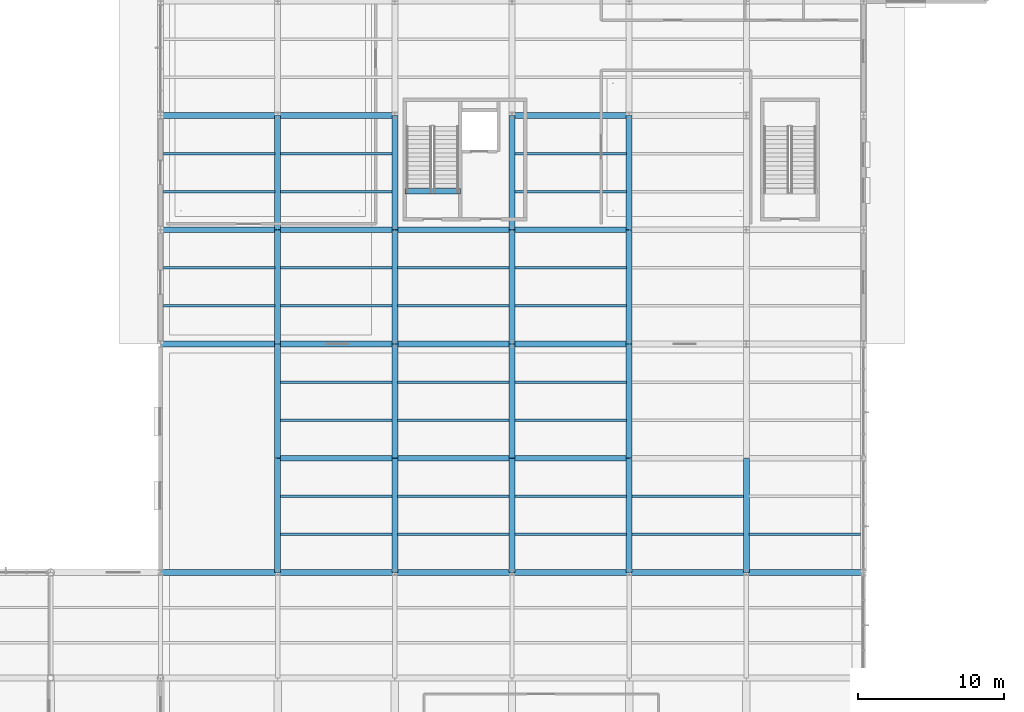
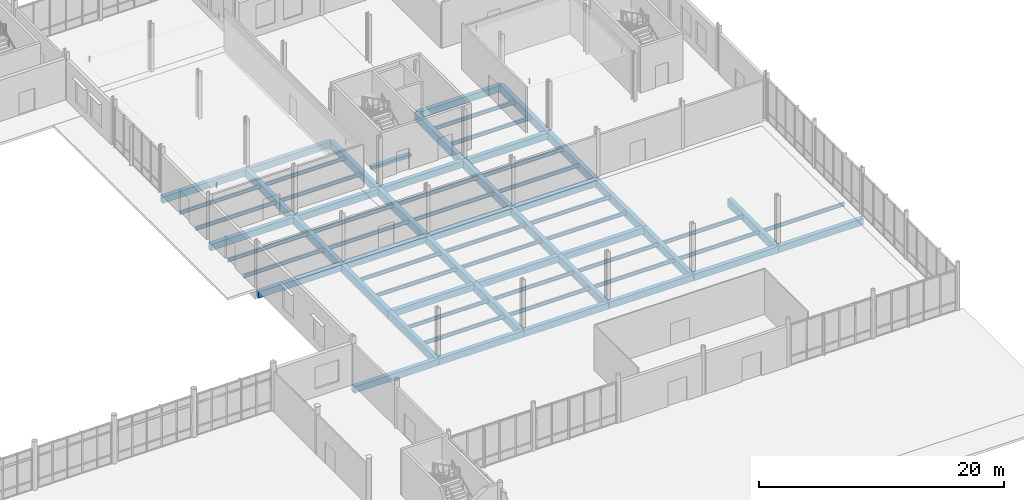
# One storey, part 26 of 82: 67 beams.
"""IFC4 building model written with IfcOpenShell, lengths in metres."""

from ifc_helpers import new_model, si_unit, direction, frame, origin, origin_2d, place, context, subcontext, project, spatial, rectangle, i_section, extrude, material, material_profile, profile_set, type_object, element, save


model = new_model("IFC4")

# Units and contexts
model_context = context("Model", 3, precision=1e-05, world=origin(), true_north=direction((0.0, 1.0)))
body_context = subcontext(model_context, "Body", "Model", "MODEL_VIEW")
ifc_project = project(units=[si_unit("LENGTHUNIT", "METRE"), si_unit("AREAUNIT", "SQUARE_METRE"), si_unit("VOLUMEUNIT", "CUBIC_METRE"), si_unit("PLANEANGLEUNIT", "RADIAN"), si_unit("MASSUNIT", "GRAM", prefix="KILO")], contexts=[model_context])

# Site, building, storey
site_placement = place(None, origin())
site = spatial("IfcSite", under=ifc_project, at=site_placement, CompositionType="ELEMENT")
building_placement = place(site_placement, origin())
building = spatial("IfcBuilding", under=site, at=building_placement, Name="Yukiwa Park Conservatory and Herbarium", CompositionType="ELEMENT")
storey_placement = place(building_placement, origin())
storey = spatial("IfcBuildingStorey", under=building, at=storey_placement, Name="L00", CompositionType="ELEMENT", Elevation=0.0)

# Beams
ifc_material_1 = material(Name="Steel Q355D", Category="steel")
ifc_material_profile_1 = material_profile(ifc_material_1, i_section(OverallWidth=0.174072265625, OverallDepth=0.345947265625, WebThickness=0.006103515625, FlangeThickness=0.009033203125, FilletRadius=0.013916015625, at=origin_2d()), Name="HN 346x174x6x9")
ifc_profile_set_1 = profile_set([ifc_material_profile_1], Name="Steel Q355D")
beam_type_1 = type_object("IfcBeamType", Name="BM-JST-HN346", PredefinedType="JOIST", material=ifc_profile_set_1)
for number, where, z_axis, x_axis, name in (
    (1, (60.196044921875, 49.39990234375, -0.43310546875), (1.0, 0.0, 0.0), (0.0, 1.0, 0.0), "L00 composite floor joist 93"),
    (2, (60.196044921875, 52.0, -0.43310546875), (1.0, 0.0, 0.0), (0.0, 1.0, 0.0), "L00 composite floor joist 94"),
    (3, (60.196044921875, 57.199951171875, -0.43310546875), (1.0, 0.0, 0.0), (0.0, 1.0, 0.0), "L00 composite floor joist 95"),
    (4, (60.196044921875, 59.800048828125, -0.43310546875), (1.0, 0.0, 0.0), (0.0, 1.0, 0.0), "L00 composite floor joist 96"),
    (5, (68.196044921875, 33.800048828125, -0.43310546875), (1.0, 0.0, 0.0), (0.0, 1.0, 0.0), "L00 composite floor joist 107"),
    (6, (68.196044921875, 36.39990234375, -0.43310546875), (1.0, 0.0, 0.0), (0.0, 1.0, 0.0), "L00 composite floor joist 108"),
    (7, (68.196044921875, 41.60009765625, -0.43310546875), (1.0, 0.0, 0.0), (0.0, 1.0, 0.0), "L00 composite floor joist 109"),
    (8, (68.196044921875, 44.199951171875, -0.43310546875), (1.0, 0.0, 0.0), (0.0, 1.0, 0.0), "L00 composite floor joist 110"),
    (9, (68.196044921875, 49.39990234375, -0.43310546875), (1.0, 0.0, 0.0), (0.0, 1.0, 0.0), "L00 composite floor joist 111"),
    (10, (68.196044921875, 52.0, -0.43310546875), (1.0, 0.0, 0.0), (0.0, 1.0, 0.0), "L00 composite floor joist 112"),
    (11, (68.196044921875, 57.199951171875, -0.43310546875), (1.0, 0.0, 0.0), (0.0, 1.0, 0.0), "L00 composite floor joist 113"),
    (12, (68.196044921875, 59.800048828125, -0.43310546875), (1.0, 0.0, 0.0), (0.0, 1.0, 0.0), "L00 composite floor joist 114"),
    (13, (76.196044921875, 33.800048828125, -0.43310546875), (1.0, 0.0, 0.0), (0.0, 1.0, 0.0), "L00 composite floor joist 125"),
    (14, (76.196044921875, 36.39990234375, -0.43310546875), (1.0, 0.0, 0.0), (0.0, 1.0, 0.0), "L00 composite floor joist 126"),
    (15, (76.196044921875, 41.60009765625, -0.43310546875), (1.0, 0.0, 0.0), (0.0, 1.0, 0.0), "L00 composite floor joist 127"),
    (16, (76.196044921875, 44.199951171875, -0.43310546875), (1.0, 0.0, 0.0), (0.0, 1.0, 0.0), "L00 composite floor joist 128"),
    (17, (76.196044921875, 49.39990234375, -0.43310546875), (1.0, 0.0, 0.0), (0.0, 1.0, 0.0), "L00 composite floor joist 129"),
    (18, (76.196044921875, 52.0, -0.43310546875), (1.0, 0.0, 0.0), (0.0, 1.0, 0.0), "L00 composite floor joist 130"),
    (19, (84.196044921875, 33.800048828125, -0.43310546875), (1.0, 0.0, 0.0), (0.0, 1.0, 0.0), "L00 composite floor joist 139"),
    (20, (84.196044921875, 36.39990234375, -0.43310546875), (1.0, 0.0, 0.0), (0.0, 1.0, 0.0), "L00 composite floor joist 140"),
    (21, (84.196044921875, 41.60009765625, -0.43310546875), (1.0, 0.0, 0.0), (0.0, 1.0, 0.0), "L00 composite floor joist 141"),
    (22, (84.196044921875, 44.199951171875, -0.43310546875), (1.0, 0.0, 0.0), (0.0, 1.0, 0.0), "L00 composite floor joist 142"),
    (23, (84.196044921875, 49.39990234375, -0.43310546875), (1.0, 0.0, 0.0), (0.0, 1.0, 0.0), "L00 composite floor joist 143"),
    (24, (84.196044921875, 52.0, -0.43310546875), (1.0, 0.0, 0.0), (0.0, 1.0, 0.0), "L00 composite floor joist 144"),
    (25, (84.196044921875, 57.199951171875, -0.43310546875), (1.0, 0.0, 0.0), (0.0, 1.0, 0.0), "L00 composite floor joist 145"),
    (26, (84.196044921875, 59.800048828125, -0.43310546875), (1.0, 0.0, 0.0), (0.0, 1.0, 0.0), "L00 composite floor joist 146"),
    (27, (92.196044921875, 33.800048828125, -0.43310546875), (1.0, 0.0, 0.0), (0.0, 1.0, 0.0), "L00 composite floor joist 155"),
    (28, (92.196044921875, 36.39990234375, -0.43310546875), (1.0, 0.0, 0.0), (0.0, 1.0, 0.0), "L00 composite floor joist 156"),
    (29, (100.196044921875, 33.800048828125, -0.43310546875), (1.0, 0.0, 0.0), (0.0, 1.0, 0.0), "L00 composite floor joist 171"),
):
    element("IfcBeam", number, at=place(storey_placement, frame(where, z_axis=z_axis, x_axis=x_axis)), inside=storey, type_object=beam_type_1, Name=name, PredefinedType="JOIST", context=body_context, shape_type="SweptSolid", body=[
        extrude(i_section(OverallWidth=0.174072265625, OverallDepth=0.345947265625, WebThickness=0.006103515625, FlangeThickness=0.009033203125, FilletRadius=0.013916015625, at=origin_2d()), origin(), (0.0, 0.0, 1.0), 7.60791015625),
    ])
ifc_material_2 = material(Name="Concrete C40", Category="concrete")
ifc_material_profile_2 = material_profile(ifc_material_2, rectangle(XDim=0.39990234375, YDim=0.64990234375, at=origin_2d()), Name="RC 400x650")
ifc_profile_set_2 = profile_set([ifc_material_profile_2], Name="Concrete C40")
beam_type_2 = type_object("IfcBeamType", Name="BM-RC-400X650", PredefinedType="BEAM", material=ifc_profile_set_2)
for number, where, z_axis, x_axis, name in (
    (30, (60.006103515625, 31.199951171875, -0.5849609375), (1.0, 0.0, 0.0), (0.0, 1.0, 0.0), "L00 grid beam X-53"),
    (31, (68.006103515625, 31.199951171875, -0.5849609375), (1.0, 0.0, 0.0), (0.0, 1.0, 0.0), "L00 grid beam X-54"),
    (32, (76.006103515625, 31.199951171875, -0.5849609375), (1.0, 0.0, 0.0), (0.0, 1.0, 0.0), "L00 grid beam X-55"),
    (33, (84.006103515625, 31.199951171875, -0.5849609375), (1.0, 0.0, 0.0), (0.0, 1.0, 0.0), "L00 grid beam X-56"),
    (34, (92.006103515625, 31.199951171875, -0.5849609375), (1.0, 0.0, 0.0), (0.0, 1.0, 0.0), "L00 grid beam X-57"),
    (35, (100.006103515625, 31.199951171875, -0.5849609375), (1.0, 0.0, 0.0), (0.0, 1.0, 0.0), "L00 grid beam X-58"),
    (36, (68.006103515625, 39.0, -0.5849609375), (1.0, 0.0, 0.0), (0.0, 1.0, 0.0), "L00 grid beam X-59"),
    (37, (76.006103515625, 39.0, -0.5849609375), (1.0, 0.0, 0.0), (0.0, 1.0, 0.0), "L00 grid beam X-60"),
    (38, (84.006103515625, 39.0, -0.5849609375), (1.0, 0.0, 0.0), (0.0, 1.0, 0.0), "L00 grid beam X-61"),
    (39, (60.006103515625, 46.800048828125, -0.5849609375), (1.0, 0.0, 0.0), (0.0, 1.0, 0.0), "L00 grid beam X-64"),
    (40, (68.006103515625, 46.800048828125, -0.5849609375), (1.0, 0.0, 0.0), (0.0, 1.0, 0.0), "L00 grid beam X-65"),
    (41, (76.006103515625, 46.800048828125, -0.5849609375), (1.0, 0.0, 0.0), (0.0, 1.0, 0.0), "L00 grid beam X-66"),
    (42, (84.006103515625, 46.800048828125, -0.5849609375), (1.0, 0.0, 0.0), (0.0, 1.0, 0.0), "L00 grid beam X-67"),
    (43, (60.006103515625, 54.60009765625, -0.5849609375), (1.0, 0.0, 0.0), (0.0, 1.0, 0.0), "L00 grid beam X-70"),
    (44, (68.006103515625, 54.60009765625, -0.5849609375), (1.0, 0.0, 0.0), (0.0, 1.0, 0.0), "L00 grid beam X-71"),
    (45, (76.006103515625, 54.60009765625, -0.5849609375), (1.0, 0.0, 0.0), (0.0, 1.0, 0.0), "L00 grid beam X-72"),
    (46, (84.006103515625, 54.60009765625, -0.5849609375), (1.0, 0.0, 0.0), (0.0, 1.0, 0.0), "L00 grid beam X-73"),
    (47, (60.006103515625, 62.39990234375, -0.5849609375), (1.0, 0.0, 0.0), (0.0, 1.0, 0.0), "L00 grid beam X-76"),
    (48, (68.006103515625, 62.39990234375, -0.5849609375), (1.0, 0.0, 0.0), (0.0, 1.0, 0.0), "L00 grid beam X-77"),
    (49, (84.006103515625, 62.39990234375, -0.5849609375), (1.0, 0.0, 0.0), (0.0, 1.0, 0.0), "L00 grid beam X-78"),
):
    element("IfcBeam", number, at=place(storey_placement, frame(where, z_axis=z_axis, x_axis=x_axis)), inside=storey, type_object=beam_type_2, Name=name, PredefinedType="BEAM", context=body_context, shape_type="SweptSolid", body=[
        extrude(rectangle(XDim=0.39990234375, YDim=0.64990234375, at=origin_2d()), origin(), (0.0, 0.0, 1.0), 7.98779296875),
    ])
ifc_material_3 = material(Name="Concrete C40", Category="concrete")
ifc_material_profile_3 = material_profile(ifc_material_3, rectangle(XDim=0.39990234375, YDim=0.800048828125, at=origin_2d()), Name="RC 400x800")
ifc_profile_set_3 = profile_set([ifc_material_profile_3], Name="Concrete C40")
beam_type_3 = type_object("IfcBeamType", Name="BM-RC-400X800", PredefinedType="BEAM", material=ifc_profile_set_3)
for number, where, z_axis, x_axis, name in (
    (50, (68.0, 31.2060546875, -0.659912109375), (0.0, 1.0, 0.0), (-1.0, 0.0, 0.0), "L00 grid girder Y-223"),
    (51, (68.0, 39.006103515625, -0.659912109375), (0.0, 1.0, 0.0), (-1.0, 0.0, 0.0), "L00 grid girder Y-224"),
):
    element("IfcBeam", number, at=place(storey_placement, frame(where, z_axis=z_axis, x_axis=x_axis)), inside=storey, type_object=beam_type_3, Name=name, PredefinedType="BEAM", context=body_context, shape_type="SweptSolid", body=[
        extrude(rectangle(XDim=0.39990234375, YDim=0.800048828125, at=origin_2d()), origin(), (0.0, 0.0, 1.0), 7.787841796875),
    ])
for number, where, z_axis, x_axis, name in (
    (52, (68.0, 46.805908203125, -0.659912109375), (0.0, 1.0, 0.0), (-1.0, 0.0, 0.0), "L00 grid girder Y-225"),
    (53, (68.0, 54.60595703125, -0.659912109375), (0.0, 1.0, 0.0), (-1.0, 0.0, 0.0), "L00 grid girder Y-226"),
):
    element("IfcBeam", number, at=place(storey_placement, frame(where, z_axis=z_axis, x_axis=x_axis)), inside=storey, type_object=beam_type_3, Name=name, PredefinedType="BEAM", context=body_context, shape_type="SweptSolid", body=[
        extrude(rectangle(XDim=0.39990234375, YDim=0.800048828125, at=origin_2d()), origin(), (0.0, 0.0, 1.0), 7.7880859375),
    ])
for number, where, z_axis, x_axis, name in (
    (54, (76.0, 31.2060546875, -0.659912109375), (0.0, 1.0, 0.0), (-1.0, 0.0, 0.0), "L00 grid girder Y-232"),
    (55, (76.0, 39.006103515625, -0.659912109375), (0.0, 1.0, 0.0), (-1.0, 0.0, 0.0), "L00 grid girder Y-233"),
):
    element("IfcBeam", number, at=place(storey_placement, frame(where, z_axis=z_axis, x_axis=x_axis)), inside=storey, type_object=beam_type_3, Name=name, PredefinedType="BEAM", context=body_context, shape_type="SweptSolid", body=[
        extrude(rectangle(XDim=0.39990234375, YDim=0.800048828125, at=origin_2d()), origin(), (0.0, 0.0, 1.0), 7.787841796875),
    ])
for number, where, z_axis, x_axis, name in (
    (56, (76.0, 46.805908203125, -0.659912109375), (0.0, 1.0, 0.0), (-1.0, 0.0, 0.0), "L00 grid girder Y-234"),
    (57, (76.0, 54.60595703125, -0.659912109375), (0.0, 1.0, 0.0), (-1.0, 0.0, 0.0), "L00 grid girder Y-235"),
):
    element("IfcBeam", number, at=place(storey_placement, frame(where, z_axis=z_axis, x_axis=x_axis)), inside=storey, type_object=beam_type_3, Name=name, PredefinedType="BEAM", context=body_context, shape_type="SweptSolid", body=[
        extrude(rectangle(XDim=0.39990234375, YDim=0.800048828125, at=origin_2d()), origin(), (0.0, 0.0, 1.0), 7.7880859375),
    ])
for number, where, z_axis, x_axis, name in (
    (58, (84.0, 31.2060546875, -0.659912109375), (0.0, 1.0, 0.0), (-1.0, 0.0, 0.0), "L00 grid girder Y-241"),
    (59, (84.0, 39.006103515625, -0.659912109375), (0.0, 1.0, 0.0), (-1.0, 0.0, 0.0), "L00 grid girder Y-242"),
):
    element("IfcBeam", number, at=place(storey_placement, frame(where, z_axis=z_axis, x_axis=x_axis)), inside=storey, type_object=beam_type_3, Name=name, PredefinedType="BEAM", context=body_context, shape_type="SweptSolid", body=[
        extrude(rectangle(XDim=0.39990234375, YDim=0.800048828125, at=origin_2d()), origin(), (0.0, 0.0, 1.0), 7.787841796875),
    ])
for number, where, z_axis, x_axis, name in (
    (60, (84.0, 46.805908203125, -0.659912109375), (0.0, 1.0, 0.0), (-1.0, 0.0, 0.0), "L00 grid girder Y-243"),
    (61, (84.0, 54.60595703125, -0.659912109375), (0.0, 1.0, 0.0), (-1.0, 0.0, 0.0), "L00 grid girder Y-244"),
):
    element("IfcBeam", number, at=place(storey_placement, frame(where, z_axis=z_axis, x_axis=x_axis)), inside=storey, type_object=beam_type_3, Name=name, PredefinedType="BEAM", context=body_context, shape_type="SweptSolid", body=[
        extrude(rectangle(XDim=0.39990234375, YDim=0.800048828125, at=origin_2d()), origin(), (0.0, 0.0, 1.0), 7.7880859375),
    ])
for number, where, z_axis, x_axis, name in (
    (62, (92.0, 31.2060546875, -0.659912109375), (0.0, 1.0, 0.0), (-1.0, 0.0, 0.0), "L00 grid girder Y-249"),
    (63, (92.0, 39.006103515625, -0.659912109375), (0.0, 1.0, 0.0), (-1.0, 0.0, 0.0), "L00 grid girder Y-250"),
):
    element("IfcBeam", number, at=place(storey_placement, frame(where, z_axis=z_axis, x_axis=x_axis)), inside=storey, type_object=beam_type_3, Name=name, PredefinedType="BEAM", context=body_context, shape_type="SweptSolid", body=[
        extrude(rectangle(XDim=0.39990234375, YDim=0.800048828125, at=origin_2d()), origin(), (0.0, 0.0, 1.0), 7.787841796875),
    ])
for number, where, z_axis, x_axis, name in (
    (64, (92.0, 46.805908203125, -0.659912109375), (0.0, 1.0, 0.0), (-1.0, 0.0, 0.0), "L00 grid girder Y-251"),
    (65, (92.0, 54.60595703125, -0.659912109375), (0.0, 1.0, 0.0), (-1.0, 0.0, 0.0), "L00 grid girder Y-252"),
):
    element("IfcBeam", number, at=place(storey_placement, frame(where, z_axis=z_axis, x_axis=x_axis)), inside=storey, type_object=beam_type_3, Name=name, PredefinedType="BEAM", context=body_context, shape_type="SweptSolid", body=[
        extrude(rectangle(XDim=0.39990234375, YDim=0.800048828125, at=origin_2d()), origin(), (0.0, 0.0, 1.0), 7.7880859375),
    ])
beam_1_placement = place(storey_placement, frame((100.0, 31.2060546875, -0.659912109375), z_axis=(0.0, 1.0, 0.0), x_axis=(-1.0, 0.0, 0.0)))
element("IfcBeam", 66, at=beam_1_placement, inside=storey, type_object=beam_type_3, Name="L00 grid girder Y-257", PredefinedType="BEAM", context=body_context, shape_type="SweptSolid", body=[
    extrude(rectangle(XDim=0.39990234375, YDim=0.800048828125, at=origin_2d()), origin(), (0.0, 0.0, 1.0), 7.787841796875),
])
ifc_material_4 = material(Name="Concrete C40", Category="concrete")
ifc_material_profile_4 = material_profile(ifc_material_4, rectangle(XDim=0.35009765625, YDim=0.300048828125, at=origin_2d()), Name="RC 350x300")
ifc_profile_set_4 = profile_set([ifc_material_profile_4], Name="Concrete C40")
beam_type_4 = type_object("IfcBeamType", Name="BM-STAIR-TRIM", PredefinedType="BEAM", material=ifc_profile_set_4)
beam_2_placement = place(storey_placement, frame((76.679931640625, 57.22998046875, -0.14990234375), z_axis=(1.0, 0.0, 0.0), x_axis=(0.0, 1.0, 0.0)))
element("IfcBeam", 67, at=beam_2_placement, inside=storey, type_object=beam_type_4, Name="Stair ST-V1 L00 landing trimmer beam", PredefinedType="BEAM", context=body_context, shape_type="SweptSolid", body=[
    extrude(rectangle(XDim=0.35009765625, YDim=0.300048828125, at=origin_2d()), origin(), (0.0, 0.0, 1.0), 3.7900390625),
])

save(model, "model.ifc")
